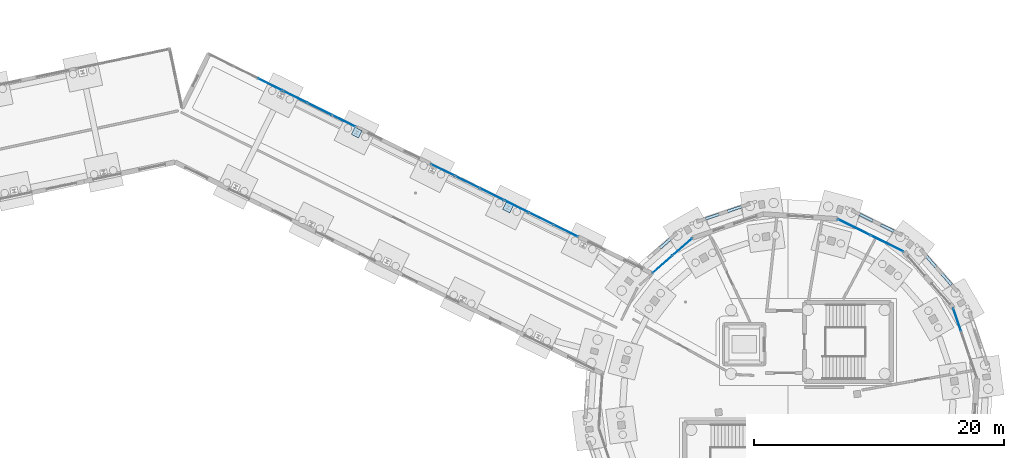
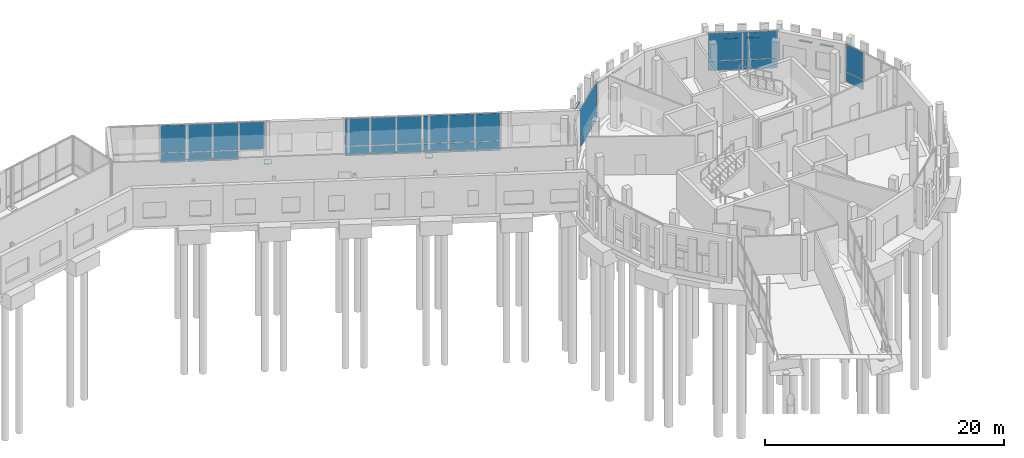
# One storey, part 74 of 113: 38 plates, 7 elements without a shape of their own.
"""IFC4 building model written with IfcOpenShell, lengths in metres."""

from ifc_helpers import new_model, si_unit, direction, frame, origin, origin_2d, place, context, subcontext, project, spatial, rectangle, extrude, material, layer, layer_set, type_object, element, aggregate, save


model = new_model("IFC4")

# Units and contexts
model_context = context("Model", 3, precision=1e-05, world=origin(), true_north=direction((0.0, 1.0)))
body_context = subcontext(model_context, "Body", "Model", "MODEL_VIEW")
ifc_project = project(units=[si_unit("LENGTHUNIT", "METRE"), si_unit("AREAUNIT", "SQUARE_METRE"), si_unit("VOLUMEUNIT", "CUBIC_METRE"), si_unit("PLANEANGLEUNIT", "RADIAN"), si_unit("MASSUNIT", "GRAM", prefix="KILO")], contexts=[model_context])

# Site, building, storey
site_placement = place(None, origin())
site = spatial("IfcSite", under=ifc_project, at=site_placement, CompositionType="ELEMENT")
building_placement = place(site_placement, origin())
building = spatial("IfcBuilding", under=site, at=building_placement, Name="Wrenclough Park School", CompositionType="ELEMENT")
storey_placement = place(building_placement, origin())
storey = spatial("IfcBuildingStorey", under=building, at=storey_placement, Name="L00", CompositionType="ELEMENT", Elevation=0.0)

# Curtain wall, plates
ifc_material_1 = material(Name="Thermally broken aluminium and low-e glass curtain wall", Category="aluminium")
curtain_wall_type_1 = type_object("IfcCurtainWallType", Name="ENV-CW-05", PredefinedType="USERDEFINED", material=ifc_material_1)
curtain_wall_1_placement = place(storey_placement, origin())
curtain_wall_1 = element("IfcCurtainWall", 1, at=curtain_wall_1_placement, inside=storey, type_object=curtain_wall_type_1, Name="L00 recessed curtain wall assembly 020", ObjectType="CURTAIN WALL", PredefinedType="USERDEFINED")
ifc_material_2 = material(Name="Double-glazed solar-control low-e glass", Category="glass")
ifc_layer_1 = layer(ifc_material_2, 0.02587890625)
ifc_layer_set_1 = layer_set([ifc_layer_1], Name="Double-glazed solar-control low-e glass")
plate_type_1 = type_object("IfcPlateType", Name="ENV-CWP-GL26", PredefinedType="CURTAIN_PANEL", material=ifc_layer_set_1)
plate_1_placement = place(storey_placement, frame((146.85986328125, 112.176025390625, 0.06982421875), z_axis=(0.0, 0.0, 1.0), x_axis=(0.896268771377, -0.443511318294, 0.0)))
plate_1 = element("IfcPlate", 2, at=plate_1_placement, type_object=plate_type_1, Name="CW-05 panel 1.1", PredefinedType="CURTAIN_PANEL", context=body_context, shape_type="SweptSolid", body=[
    extrude(rectangle(XDim=2.09423828125, YDim=0.02587890625, at=origin_2d()), origin(), (0.0, 0.0, 1.0), 0.945068359375),
])
plate_2_placement = place(storey_placement, frame((146.85986328125, 112.176025390625, 1.0849609375), z_axis=(0.0, 0.0, 1.0), x_axis=(0.896268771377, -0.443511318294, 0.0)))
plate_2 = element("IfcPlate", 3, at=plate_2_placement, type_object=plate_type_1, Name="CW-05 panel 1.2", PredefinedType="CURTAIN_PANEL", context=body_context, shape_type="SweptSolid", body=[
    extrude(rectangle(XDim=2.09423828125, YDim=0.02587890625, at=origin_2d()), origin(), (0.0, 0.0, 1.0), 2.784912109375),
])
plate_3_placement = place(storey_placement, frame((148.815185546875, 111.20849609375, 0.06982421875), z_axis=(0.0, 0.0, 1.0), x_axis=(0.896268771377, -0.443511318294, 0.0)))
plate_3 = element("IfcPlate", 4, at=plate_3_placement, type_object=plate_type_1, Name="CW-05 panel 2.1", PredefinedType="CURTAIN_PANEL", context=body_context, shape_type="SweptSolid", body=[
    extrude(rectangle(XDim=2.129150390625, YDim=0.02587890625, at=origin_2d()), origin(), (0.0, 0.0, 1.0), 0.945068359375),
])
plate_4_placement = place(storey_placement, frame((148.815185546875, 111.20849609375, 1.0849609375), z_axis=(0.0, 0.0, 1.0), x_axis=(0.896268771377, -0.443511318294, 0.0)))
plate_4 = element("IfcPlate", 5, at=plate_4_placement, type_object=plate_type_1, Name="CW-05 panel 2.2", PredefinedType="CURTAIN_PANEL", context=body_context, shape_type="SweptSolid", body=[
    extrude(rectangle(XDim=2.129150390625, YDim=0.02587890625, at=origin_2d()), origin(), (0.0, 0.0, 1.0), 2.784912109375),
])
plate_5_placement = place(storey_placement, frame((150.7705078125, 110.240966796875, 0.06982421875), z_axis=(0.0, 0.0, 1.0), x_axis=(0.896268771377, -0.443511318294, 0.0)))
plate_5 = element("IfcPlate", 6, at=plate_5_placement, type_object=plate_type_1, Name="CW-05 panel 3.1", PredefinedType="CURTAIN_PANEL", context=body_context, shape_type="SweptSolid", body=[
    extrude(rectangle(XDim=2.09423828125, YDim=0.02587890625, at=origin_2d()), origin(), (0.0, 0.0, 1.0), 0.945068359375),
])
plate_6_placement = place(storey_placement, frame((150.7705078125, 110.240966796875, 1.0849609375), z_axis=(0.0, 0.0, 1.0), x_axis=(0.896268771377, -0.443511318294, 0.0)))
plate_6 = element("IfcPlate", 7, at=plate_6_placement, type_object=plate_type_1, Name="CW-05 panel 3.2", PredefinedType="CURTAIN_PANEL", context=body_context, shape_type="SweptSolid", body=[
    extrude(rectangle(XDim=2.09423828125, YDim=0.02587890625, at=origin_2d()), origin(), (0.0, 0.0, 1.0), 2.784912109375),
])
aggregate(curtain_wall_1, [plate_1, plate_2, plate_3, plate_4, plate_5, plate_6])

curtain_wall_type_2 = type_object("IfcCurtainWallType", Name="ENV-CW-09", PredefinedType="USERDEFINED", material=ifc_material_1)
curtain_wall_2_placement = place(storey_placement, origin())
curtain_wall_2 = element("IfcCurtainWall", 8, at=curtain_wall_2_placement, inside=storey, type_object=curtain_wall_type_2, Name="L00 recessed curtain wall assembly 024", ObjectType="CURTAIN WALL", PredefinedType="USERDEFINED")
plate_7_placement = place(storey_placement, frame((188.055908203125, 100.181396484375, 0.06005859375), z_axis=(0.0, 0.0, 1.0), x_axis=(0.321428688473, -0.946933787668, 0.0)))
plate_7 = element("IfcPlate", 9, at=plate_7_placement, type_object=plate_type_1, Name="CW-09 panel 1.1", PredefinedType="CURTAIN_PANEL", context=body_context, shape_type="SweptSolid", body=[
    extrude(rectangle(XDim=1.894287109375, YDim=0.02587890625, at=origin_2d()), origin(), (0.0, 0.0, 1.0), 0.9599609375),
])
plate_8_placement = place(storey_placement, frame((188.055908203125, 100.181396484375, 1.080078125), z_axis=(0.0, 0.0, 1.0), x_axis=(0.321428688473, -0.946933787668, 0.0)))
plate_8 = element("IfcPlate", 10, at=plate_8_placement, type_object=plate_type_1, Name="CW-09 panel 1.2", PredefinedType="CURTAIN_PANEL", context=body_context, shape_type="SweptSolid", body=[
    extrude(rectangle(XDim=1.894287109375, YDim=0.02587890625, at=origin_2d()), origin(), (0.0, 0.0, 1.0), 2.800048828125),
])
aggregate(curtain_wall_2, [plate_7, plate_8])

curtain_wall_type_3 = type_object("IfcCurtainWallType", Name="ENV-CW-03", PredefinedType="USERDEFINED", material=ifc_material_1)
curtain_wall_3_placement = place(storey_placement, origin())
curtain_wall_3 = element("IfcCurtainWall", 11, at=curtain_wall_3_placement, inside=storey, type_object=curtain_wall_type_3, Name="L00 recessed curtain wall assembly 018", ObjectType="CURTAIN WALL", PredefinedType="USERDEFINED")
ifc_material_3 = material(Name="Triple-glazed senior-lab low-e glass", Category="glass")
ifc_layer_2 = layer(ifc_material_3, 0.033935546875)
ifc_layer_set_2 = layer_set([ifc_layer_2], Name="Triple-glazed senior-lab low-e glass")
plate_type_2 = type_object("IfcPlateType", Name="ENV-CWP-GL34", PredefinedType="CURTAIN_PANEL", material=ifc_layer_set_2)
plate_9_placement = place(storey_placement, frame((133.01220703125, 119.028564453125, 0.06005859375), z_axis=(0.0, 0.0, 1.0), x_axis=(0.896268771377, -0.443511318294, 0.0)))
plate_9 = element("IfcPlate", 12, at=plate_9_placement, type_object=plate_type_2, Name="CW-03 panel 3.1", PredefinedType="CURTAIN_PANEL", context=body_context, shape_type="SweptSolid", body=[
    extrude(rectangle(XDim=2.109130859375, YDim=0.033935546875, at=origin_2d()), origin(), (0.0, 0.0, 1.0), 0.9599609375),
])
plate_10_placement = place(storey_placement, frame((133.01220703125, 119.028564453125, 1.080078125), z_axis=(0.0, 0.0, 1.0), x_axis=(0.896268771377, -0.443511318294, 0.0)))
plate_10 = element("IfcPlate", 13, at=plate_10_placement, type_object=plate_type_2, Name="CW-03 panel 3.2", PredefinedType="CURTAIN_PANEL", context=body_context, shape_type="SweptSolid", body=[
    extrude(rectangle(XDim=2.109130859375, YDim=0.033935546875, at=origin_2d()), origin(), (0.0, 0.0, 1.0), 2.800048828125),
])
aggregate(curtain_wall_3, [plate_9, plate_10])

curtain_wall_type_4 = type_object("IfcCurtainWallType", Name="ENV-CW-04", PredefinedType="USERDEFINED", material=ifc_material_1)
curtain_wall_4_placement = place(storey_placement, origin())
curtain_wall_4 = element("IfcCurtainWall", 14, at=curtain_wall_4_placement, inside=storey, type_object=curtain_wall_type_4, Name="L00 recessed curtain wall assembly 019", ObjectType="CURTAIN WALL", PredefinedType="USERDEFINED")
ifc_material_4 = material(Name="Laminated sports-concourse safety glass", Category="glass")
ifc_layer_3 = layer(ifc_material_4, 0.0380859375)
ifc_layer_set_3 = layer_set([ifc_layer_3], Name="Laminated sports-concourse safety glass")
plate_type_3 = type_object("IfcPlateType", Name="ENV-CWP-GL38", PredefinedType="CURTAIN_PANEL", material=ifc_layer_set_3)
plate_11_placement = place(storey_placement, frame((135.018310546875, 118.03564453125, 0.06494140625), z_axis=(0.0, 0.0, 1.0), x_axis=(0.896274796564, -0.4434991421, 0.0)))
plate_11 = element("IfcPlate", 15, at=plate_11_placement, type_object=plate_type_3, Name="CW-04 panel 1.1", PredefinedType="CURTAIN_PANEL", context=body_context, shape_type="SweptSolid", body=[
    extrude(rectangle(XDim=2.1015625, YDim=0.0380859375, at=origin_2d()), origin(), (0.0, 0.0, 1.0), 0.952392578125),
])
plate_12_placement = place(storey_placement, frame((135.018310546875, 118.03564453125, 1.08251953125), z_axis=(0.0, 0.0, 1.0), x_axis=(0.896274796564, -0.4434991421, 0.0)))
plate_12 = element("IfcPlate", 16, at=plate_12_placement, type_object=plate_type_3, Name="CW-04 panel 1.2", PredefinedType="CURTAIN_PANEL", context=body_context, shape_type="SweptSolid", body=[
    extrude(rectangle(XDim=2.1015625, YDim=0.0380859375, at=origin_2d()), origin(), (0.0, 0.0, 1.0), 2.79248046875),
])
plate_13_placement = place(storey_placement, frame((136.974853515625, 117.067626953125, 0.06494140625), z_axis=(0.0, 0.0, 1.0), x_axis=(0.896274796564, -0.4434991421, 0.0)))
plate_13 = element("IfcPlate", 17, at=plate_13_placement, type_object=plate_type_3, Name="CW-04 panel 2.1", PredefinedType="CURTAIN_PANEL", context=body_context, shape_type="SweptSolid", body=[
    extrude(rectangle(XDim=2.134033203125, YDim=0.0380859375, at=origin_2d()), origin(), (0.0, 0.0, 1.0), 0.952392578125),
])
plate_14_placement = place(storey_placement, frame((136.974853515625, 117.067626953125, 1.08251953125), z_axis=(0.0, 0.0, 1.0), x_axis=(0.896274796564, -0.4434991421, 0.0)))
plate_14 = element("IfcPlate", 18, at=plate_14_placement, type_object=plate_type_3, Name="CW-04 panel 2.2", PredefinedType="CURTAIN_PANEL", context=body_context, shape_type="SweptSolid", body=[
    extrude(rectangle(XDim=2.134033203125, YDim=0.0380859375, at=origin_2d()), origin(), (0.0, 0.0, 1.0), 2.79248046875),
])
plate_15_placement = place(storey_placement, frame((138.93115234375, 116.099609375, 1.08251953125), z_axis=(0.0, 0.0, 1.0), x_axis=(0.896274796564, -0.4434991421, 0.0)))
plate_15 = element("IfcPlate", 19, at=plate_15_placement, type_object=plate_type_3, Name="CW-04 panel 3.2", PredefinedType="CURTAIN_PANEL", context=body_context, shape_type="SweptSolid", body=[
    extrude(rectangle(XDim=2.1015625, YDim=0.0380859375, at=origin_2d()), origin(), (0.0, 0.0, 1.0), 2.79248046875),
])
aggregate(curtain_wall_4, [plate_11, plate_12, plate_13, plate_14, plate_15])

curtain_wall_type_5 = type_object("IfcCurtainWallType", Name="ENV-CW-06", PredefinedType="USERDEFINED", material=ifc_material_1)
curtain_wall_5_placement = place(storey_placement, origin())
curtain_wall_5 = element("IfcCurtainWall", 20, at=curtain_wall_5_placement, inside=storey, type_object=curtain_wall_type_5, Name="L00 recessed curtain wall assembly 021", ObjectType="CURTAIN WALL", PredefinedType="USERDEFINED")
ifc_material_5 = material(Name="Insulated anodised aluminium spandrel panel", Category="aluminium")
ifc_layer_4 = layer(ifc_material_5, 0.0419921875)
ifc_layer_set_4 = layer_set([ifc_layer_4], Name="Insulated anodised aluminium spandrel panel")
plate_type_4 = type_object("IfcPlateType", Name="ENV-CWP-SP42", PredefinedType="CURTAIN_PANEL", material=ifc_layer_set_4)
plate_16_placement = place(storey_placement, frame((152.77783203125, 109.24755859375, 0.06005859375), z_axis=(0.0, 0.0, 1.0), x_axis=(0.896274796564, -0.4434991421, 0.0)))
plate_16 = element("IfcPlate", 21, at=plate_16_placement, type_object=plate_type_4, Name="CW-06 panel 1.1", PredefinedType="CURTAIN_PANEL", context=body_context, shape_type="SweptSolid", body=[
    extrude(rectangle(XDim=2.109130859375, YDim=0.0419921875, at=origin_2d()), origin(), (0.0, 0.0, 1.0), 0.9599609375),
])
plate_17_placement = place(storey_placement, frame((152.77783203125, 109.24755859375, 1.080078125), z_axis=(0.0, 0.0, 1.0), x_axis=(0.896274796564, -0.4434991421, 0.0)))
plate_17 = element("IfcPlate", 22, at=plate_17_placement, type_object=plate_type_4, Name="CW-06 panel 1.2", PredefinedType="CURTAIN_PANEL", context=body_context, shape_type="SweptSolid", body=[
    extrude(rectangle(XDim=2.109130859375, YDim=0.0419921875, at=origin_2d()), origin(), (0.0, 0.0, 1.0), 2.800048828125),
])
plate_18_placement = place(storey_placement, frame((154.7353515625, 108.279052734375, 0.06005859375), z_axis=(0.0, 0.0, 1.0), x_axis=(0.896274796564, -0.4434991421, 0.0)))
plate_18 = element("IfcPlate", 23, at=plate_18_placement, type_object=plate_type_4, Name="CW-06 panel 2.1", PredefinedType="CURTAIN_PANEL", context=body_context, shape_type="SweptSolid", body=[
    extrude(rectangle(XDim=2.13916015625, YDim=0.0419921875, at=origin_2d()), origin(), (0.0, 0.0, 1.0), 0.9599609375),
])
plate_19_placement = place(storey_placement, frame((154.7353515625, 108.279052734375, 1.080078125), z_axis=(0.0, 0.0, 1.0), x_axis=(0.896274796564, -0.4434991421, 0.0)))
plate_19 = element("IfcPlate", 24, at=plate_19_placement, type_object=plate_type_4, Name="CW-06 panel 2.2", PredefinedType="CURTAIN_PANEL", context=body_context, shape_type="SweptSolid", body=[
    extrude(rectangle(XDim=2.13916015625, YDim=0.0419921875, at=origin_2d()), origin(), (0.0, 0.0, 1.0), 2.800048828125),
])
plate_20_placement = place(storey_placement, frame((156.69287109375, 107.310302734375, 0.06005859375), z_axis=(0.0, 0.0, 1.0), x_axis=(0.896274796564, -0.4434991421, 0.0)))
plate_20 = element("IfcPlate", 25, at=plate_20_placement, type_object=plate_type_4, Name="CW-06 panel 3.1", PredefinedType="CURTAIN_PANEL", context=body_context, shape_type="SweptSolid", body=[
    extrude(rectangle(XDim=2.109130859375, YDim=0.0419921875, at=origin_2d()), origin(), (0.0, 0.0, 1.0), 0.9599609375),
])
plate_21_placement = place(storey_placement, frame((156.69287109375, 107.310302734375, 1.080078125), z_axis=(0.0, 0.0, 1.0), x_axis=(0.896274796564, -0.4434991421, 0.0)))
plate_21 = element("IfcPlate", 26, at=plate_21_placement, type_object=plate_type_4, Name="CW-06 panel 3.2", PredefinedType="CURTAIN_PANEL", context=body_context, shape_type="SweptSolid", body=[
    extrude(rectangle(XDim=2.109130859375, YDim=0.0419921875, at=origin_2d()), origin(), (0.0, 0.0, 1.0), 2.800048828125),
])
aggregate(curtain_wall_5, [plate_16, plate_17, plate_18, plate_19, plate_20, plate_21])

curtain_wall_type_6 = type_object("IfcCurtainWallType", Name="ENV-CW-07", PredefinedType="USERDEFINED", material=ifc_material_1)
curtain_wall_6_placement = place(storey_placement, origin())
curtain_wall_6 = element("IfcCurtainWall", 27, at=curtain_wall_6_placement, inside=storey, type_object=curtain_wall_type_6, Name="L00 recessed curtain wall assembly 022", ObjectType="CURTAIN WALL", PredefinedType="USERDEFINED")
ifc_material_6 = material(Name="Insulated patinated copper-toned spandrel panel", Category="aluminium")
ifc_layer_5 = layer(ifc_material_6, 0.048095703125)
ifc_layer_set_5 = layer_set([ifc_layer_5], Name="Insulated patinated copper-toned spandrel panel")
plate_type_5 = type_object("IfcPlateType", Name="ENV-CWP-SP48", PredefinedType="CURTAIN_PANEL", material=ifc_layer_set_5)
plate_22_placement = place(storey_placement, frame((164.440673828125, 104.608154296875, 0.06494140625), z_axis=(0.0, 0.0, 1.0), x_axis=(0.751814214654, 0.659374996981, 0.0)))
plate_22 = element("IfcPlate", 28, at=plate_22_placement, type_object=plate_type_5, Name="CW-07 panel 1.1", PredefinedType="CURTAIN_PANEL", context=body_context, shape_type="SweptSolid", body=[
    extrude(rectangle(XDim=2.056884765625, YDim=0.048095703125, at=origin_2d()), origin(), (0.0, 0.0, 1.0), 0.952392578125),
])
plate_23_placement = place(storey_placement, frame((164.440673828125, 104.608154296875, 1.08251953125), z_axis=(0.0, 0.0, 1.0), x_axis=(0.751814214654, 0.659374996981, 0.0)))
plate_23 = element("IfcPlate", 29, at=plate_23_placement, type_object=plate_type_5, Name="CW-07 panel 1.2", PredefinedType="CURTAIN_PANEL", context=body_context, shape_type="SweptSolid", body=[
    extrude(rectangle(XDim=2.056884765625, YDim=0.048095703125, at=origin_2d()), origin(), (0.0, 0.0, 1.0), 2.79248046875),
])
plate_24_placement = place(storey_placement, frame((166.0361328125, 106.00732421875, 0.06494140625), z_axis=(0.0, 0.0, 1.0), x_axis=(0.751814214654, 0.659374996981, 0.0)))
plate_24 = element("IfcPlate", 30, at=plate_24_placement, type_object=plate_type_5, Name="CW-07 panel 2.1", PredefinedType="CURTAIN_PANEL", context=body_context, shape_type="SweptSolid", body=[
    extrude(rectangle(XDim=2.056884765625, YDim=0.048095703125, at=origin_2d()), origin(), (0.0, 0.0, 1.0), 0.952392578125),
])
plate_25_placement = place(storey_placement, frame((166.0361328125, 106.00732421875, 1.08251953125), z_axis=(0.0, 0.0, 1.0), x_axis=(0.751814214654, 0.659374996981, 0.0)))
plate_25 = element("IfcPlate", 31, at=plate_25_placement, type_object=plate_type_5, Name="CW-07 panel 2.2", PredefinedType="CURTAIN_PANEL", context=body_context, shape_type="SweptSolid", body=[
    extrude(rectangle(XDim=2.056884765625, YDim=0.048095703125, at=origin_2d()), origin(), (0.0, 0.0, 1.0), 2.79248046875),
])
aggregate(curtain_wall_6, [plate_22, plate_23, plate_24, plate_25])

curtain_wall_type_7 = type_object("IfcCurtainWallType", Name="ENV-CW-08", PredefinedType="USERDEFINED", material=ifc_material_1)
curtain_wall_7_placement = place(storey_placement, origin())
curtain_wall_7 = element("IfcCurtainWall", 32, at=curtain_wall_7_placement, inside=storey, type_object=curtain_wall_type_7, Name="L00 recessed curtain wall assembly 023", ObjectType="CURTAIN WALL", PredefinedType="USERDEFINED")
ifc_material_7 = material(Name="Acoustic mineral-wool spandrel cassette", Category="aluminium")
ifc_layer_6 = layer(ifc_material_7, 0.053955078125)
ifc_layer_set_6 = layer_set([ifc_layer_6], Name="Acoustic mineral-wool spandrel cassette")
plate_type_6 = type_object("IfcPlateType", Name="ENV-CWP-SP54", PredefinedType="CURTAIN_PANEL", material=ifc_layer_set_6)
plate_26_placement = place(storey_placement, frame((179.80810546875, 107.58935546875, 0.06982421875), z_axis=(0.0, 0.0, 1.0), x_axis=(0.896866215328, -0.442301923806, 0.0)))
plate_26 = element("IfcPlate", 33, at=plate_26_placement, type_object=plate_type_6, Name="CW-08 panel 1.1", PredefinedType="CURTAIN_PANEL", context=body_context, shape_type="SweptSolid", body=[
    extrude(rectangle(XDim=2.87158203125, YDim=0.053955078125, at=origin_2d()), origin(), (0.0, 0.0, 1.0), 0.945068359375),
])
plate_27_placement = place(storey_placement, frame((179.80810546875, 107.58935546875, 1.0849609375), z_axis=(0.0, 0.0, 1.0), x_axis=(0.896866215328, -0.442301923806, 0.0)))
plate_27 = element("IfcPlate", 34, at=plate_27_placement, type_object=plate_type_6, Name="CW-08 panel 1.2", PredefinedType="CURTAIN_PANEL", context=body_context, shape_type="SweptSolid", body=[
    extrude(rectangle(XDim=2.87158203125, YDim=0.053955078125, at=origin_2d()), origin(), (0.0, 0.0, 1.0), 2.784912109375),
])
plate_28_placement = place(storey_placement, frame((182.4462890625, 106.288330078125, 0.06982421875), z_axis=(0.0, 0.0, 1.0), x_axis=(0.896866215328, -0.442301923806, 0.0)))
plate_28 = element("IfcPlate", 35, at=plate_28_placement, type_object=plate_type_6, Name="CW-08 panel 2.1", PredefinedType="CURTAIN_PANEL", context=body_context, shape_type="SweptSolid", body=[
    extrude(rectangle(XDim=2.87158203125, YDim=0.053955078125, at=origin_2d()), origin(), (0.0, 0.0, 1.0), 0.945068359375),
])
plate_29_placement = place(storey_placement, frame((182.4462890625, 106.288330078125, 1.0849609375), z_axis=(0.0, 0.0, 1.0), x_axis=(0.896866215328, -0.442301923806, 0.0)))
plate_29 = element("IfcPlate", 36, at=plate_29_placement, type_object=plate_type_6, Name="CW-08 panel 2.2", PredefinedType="CURTAIN_PANEL", context=body_context, shape_type="SweptSolid", body=[
    extrude(rectangle(XDim=2.87158203125, YDim=0.053955078125, at=origin_2d()), origin(), (0.0, 0.0, 1.0), 2.784912109375),
])
aggregate(curtain_wall_7, [plate_26, plate_27, plate_28, plate_29])

# Plates
ifc_material_8 = material(Name="Anodised architectural aluminium solar shading fin plate", Category="aluminium")
ifc_layer_7 = layer(ifc_material_8, 0.0380859375)
ifc_layer_set_7 = layer_set([ifc_layer_7], Name="Anodised architectural aluminium solar shading fin plate")
plate_type_7 = type_object("IfcPlateType", Name="ENV-PL-BSF", PredefinedType="SHEET", material=ifc_layer_set_7)
for number, where, z_axis, x_axis, name in (
    (37, (187.224609375, 103.41015625, 2.4951171875), (0.0, 0.0, 1.0), (-0.659348912876, 0.751837090791, 0.0), "D5 L00 open-bond brick screen tie band 0105"),
    (38, (185.98681640625, 104.82177734375, 2.4951171875), (0.0, 0.0, 1.0), (-0.659348912876, 0.751837090791, 0.0), "D5 L00 open-bond brick screen tie band 0106"),
    (39, (182.46337890625, 107.525146484375, 2.4951171875), (0.0, 0.0, 1.0), (-0.896867204704, 0.44229991762, 0.0), "D5 L00 open-bond brick screen tie band 0107"),
    (40, (180.779541015625, 108.355712890625, 2.4951171875), (0.0, 0.0, 1.0), (-0.896867204704, 0.44229991762, 0.0), "D5 L00 open-bond brick screen tie band 0108"),
    (41, (170.21337890625, 109.04833984375, 2.4951171875), (0.0, 0.0, 1.0), (-0.946934414318, -0.321426842345, 0.0), "D5 L00 open-bond brick screen tie band 0109"),
    (42, (168.435791015625, 108.44482421875, 2.4951171875), (0.0, 0.0, 1.0), (-0.946934414318, -0.321426842345, 0.0), "D5 L00 open-bond brick screen tie band 0110"),
):
    element("IfcPlate", number, at=place(storey_placement, frame(where, z_axis=z_axis, x_axis=x_axis)), inside=storey, type_object=plate_type_7, Name=name, PredefinedType="SHEET", context=body_context, shape_type="SweptSolid", body=[
        extrude(rectangle(XDim=1.16748046875, YDim=0.219970703125, at=origin_2d()), origin(), (0.0, 0.0, 1.0), 0.0419921875),
    ])
plate_30_placement = place(storey_placement, frame((164.66162109375, 106.287353515625, 2.4951171875), z_axis=(0.0, 0.0, 1.0), x_axis=(-0.751830604021, -0.659356309485, 0.0)))
element("IfcPlate", 43, at=plate_30_placement, inside=storey, type_object=plate_type_7, Name="D5 L00 open-bond brick screen tie band 0111", PredefinedType="SHEET", context=body_context, shape_type="SweptSolid", body=[
    extrude(rectangle(XDim=1.084228515625, YDim=0.219970703125, at=origin_2d()), origin(), (0.0, 0.0, 1.0), 0.0419921875),
])
ifc_material_9 = material(Name="Structural steel S355", Category="steel")
ifc_layer_8 = layer(ifc_material_9, 0.031982421875)
ifc_layer_set_8 = layer_set([ifc_layer_8], Name="Structural steel S355")
plate_type_8 = type_object("IfcPlateType", Name="STR-PL-BP1", PredefinedType="SHEET", material=ifc_layer_set_8)
for number, where, z_axis, x_axis, name in (
    (44, (139.943359375, 115.1748046875, 0.0), (0.0, 0.0, 1.0), (0.896254315973, -0.443540529265, 0.0), "Steel column baseplate W45-C2-L02"),
    (45, (152.068359375, 109.1748046875, 0.0), (0.0, 0.0, 1.0), (0.896254315973, -0.443540529265, 0.0), "Steel column baseplate W45-C2-L04"),
):
    element("IfcPlate", number, at=place(storey_placement, frame(where, z_axis=z_axis, x_axis=x_axis)), inside=storey, type_object=plate_type_8, Name=name, PredefinedType="SHEET", context=body_context, shape_type="SweptSolid", body=[
        extrude(rectangle(XDim=0.64990234375, YDim=0.64990234375, at=origin_2d()), origin(), (0.0, 0.0, 1.0), 0.031982421875),
    ])

save(model, "model.ifc")
